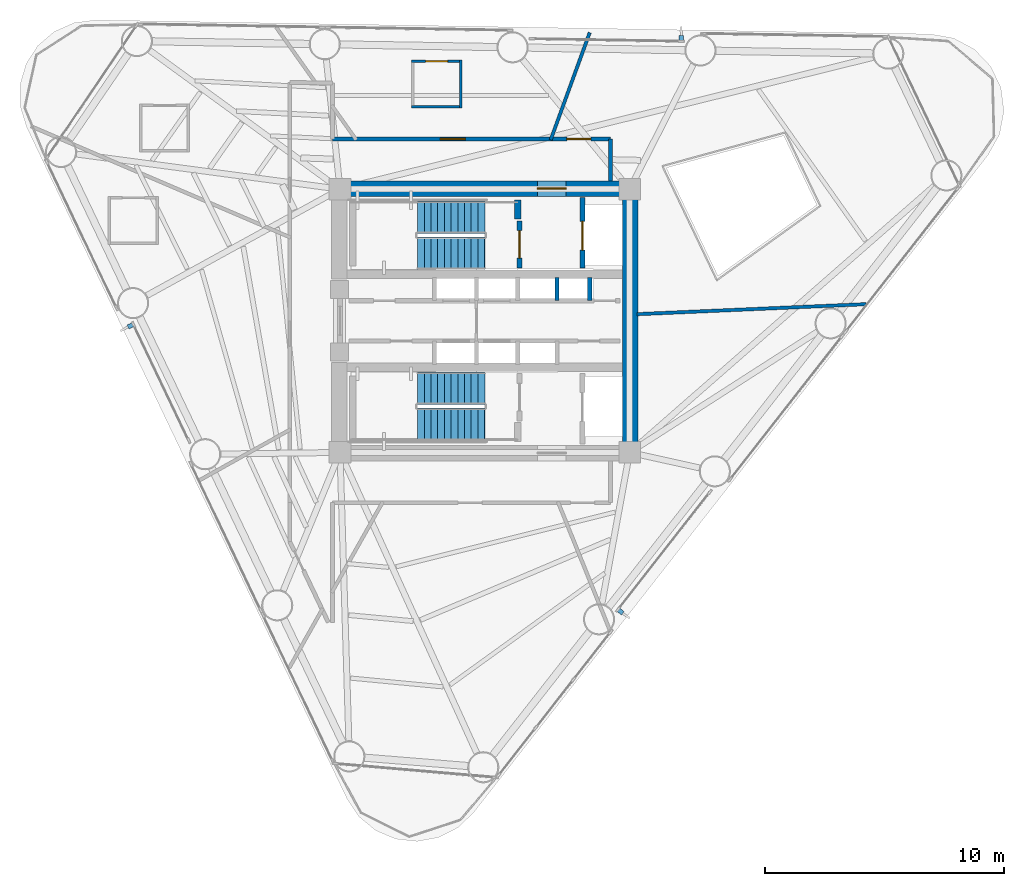
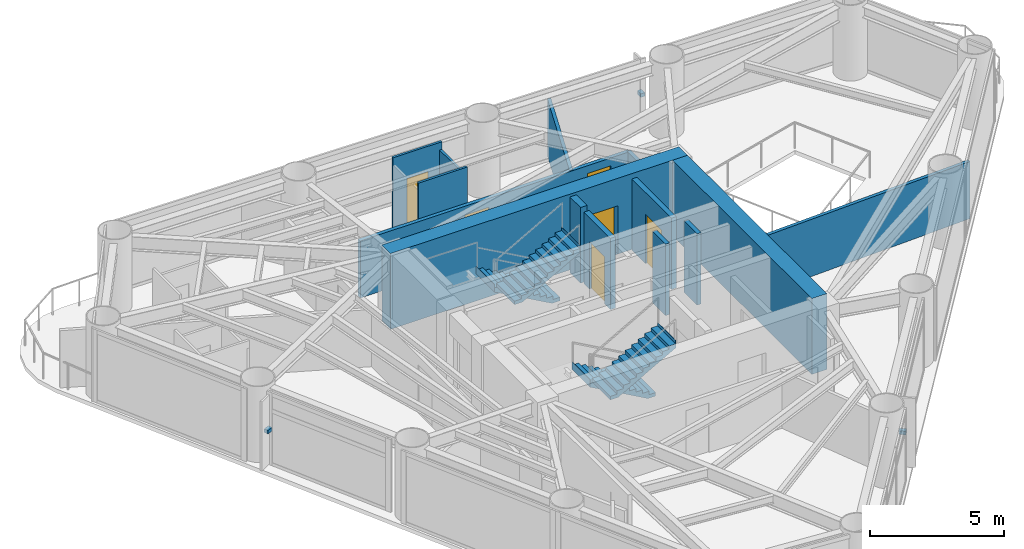
# One storey, part 7 of 10: 14 walls, 6 doors, 4 stair flights, 3 discrete accessories, 6 openings, 2 elements without a shape of their own.
"""IFC4 building model written with IfcOpenShell, lengths in metres."""

from ifc_helpers import new_model, si_unit, direction, frame, frame_2d, origin, origin_2d, place, context, subcontext, project, spatial, polyline, rectangle, outline, extrude, source, transform, mapped, material, layer, layer_set, type_object, element, fill, aggregate, save


model = new_model("IFC4")

# Units and contexts
model_context = context("Model", 3, precision=1e-05, world=origin(), true_north=direction((0.0, 1.0)))
body_context = subcontext(model_context, "Body", "Model", "MODEL_VIEW")
ifc_project = project(units=[si_unit("LENGTHUNIT", "METRE"), si_unit("AREAUNIT", "SQUARE_METRE"), si_unit("VOLUMEUNIT", "CUBIC_METRE"), si_unit("PLANEANGLEUNIT", "RADIAN"), si_unit("MASSUNIT", "GRAM", prefix="KILO")], contexts=[model_context])

# Site, building, storey
site_placement = place(None, origin())
site = spatial("IfcSite", under=ifc_project, at=site_placement, CompositionType="ELEMENT")
building_placement = place(site_placement, origin())
building = spatial("IfcBuilding", under=site, at=building_placement, Name="Yunling Apex Tower", CompositionType="ELEMENT")
storey_placement = place(building_placement, frame((0.0, 0.0, 143.300048828125)))
storey = spatial("IfcBuildingStorey", under=building, at=storey_placement, Name="L35", CompositionType="ELEMENT", Elevation=143.300048828125)

# Wall, opening, door
ifc_material_1 = material(Name="Concrete C50", Category="concrete")
ifc_layer_1 = layer(ifc_material_1, 0.64990234375)
ifc_layer_set_1 = layer_set([ifc_layer_1], Name="Concrete C50")
wall_type_1 = type_object("IfcWallType", Name="WL-COR-2", PredefinedType="SHEAR", material=ifc_layer_set_1)
wall_1_placement = place(storey_placement, frame((-6.39990234375, 5.52490234375, 0.0), z_axis=(0.0, 0.0, 1.0), x_axis=(1.0, 0.0, 0.0)))
wall_1 = element("IfcWall", 1, at=wall_1_placement, inside=storey, type_object=wall_type_1, Name="L35 North Core Shear Wall", PredefinedType="SHEAR", context=body_context, shape_type="SweptSolid", body=[
    extrude(rectangle(XDim=12.7998046875, YDim=0.64990234375, at=frame_2d((6.39990234375, 0.0))), origin(), (0.0, 0.0, 1.0), 3.449951171875),
])
opening_1_placement = place(wall_1_placement, frame((8.60009765625, 0.0, 0.0)))
opening_1 = element("IfcOpeningElement", 2, at=opening_1_placement, cuts=wall_1, Name="Opening DR-FFL-1", PredefinedType="OPENING", context=body_context, shape_type="SweptSolid", body=[
    extrude(rectangle(XDim=1.199951171875, YDim=2.199951171875, at=frame_2d((0.60009765625, 1.10009765625))), frame((0.0, 0.3349609375, 0.0), z_axis=(0.0, -1.0, 0.0), x_axis=(1.0, 0.0, 0.0)), (0.0, 0.0, 1.0), 0.669921875),
])
ifc_material_2 = material(Name="Steel Q355B", Category="steel")
door_type_1 = type_object("IfcDoorType", Name="DR-FFL-1", OperationType="NOTDEFINED", PredefinedType="DOOR", material=ifc_material_2)
door_1_placement = place(opening_1_placement, origin())
door_1 = element("IfcDoor", 3, at=door_1_placement, inside=storey, type_object=door_type_1, Name="L35 North Firefighting Lobby Door", OperationType="SINGLE_SWING_LEFT", OverallHeight=2.199951171875, OverallWidth=1.199951171875, PredefinedType="DOOR", context=body_context, shape_type="SweptSolid", body=[
    extrude(rectangle(XDim=1.199951171875, YDim=2.199951171875, at=frame_2d((0.60009765625, 1.10009765625))), frame((0.0, 0.02490234375, 0.0), z_axis=(0.0, -1.0, 0.0), x_axis=(1.0, 0.0, 0.0)), (0.0, 0.0, 1.0), 0.050048828125),
])
fill(opening_1, door_1)

# Walls
wall_2_placement = place(storey_placement, frame((6.074951171875, -5.199951171875, 0.0), z_axis=(0.0, 0.0, 1.0), x_axis=(0.0, 1.0, 0.0)))
element("IfcWall", 4, at=wall_2_placement, inside=storey, type_object=wall_type_1, Name="L35 East Core Shear Wall", PredefinedType="SHEAR", context=body_context, shape_type="SweptSolid", body=[
    extrude(rectangle(XDim=10.39990234375, YDim=0.64990234375, at=frame_2d((5.199951171875, 0.0))), origin(), (0.0, 0.0, 1.0), 3.449951171875),
])
ifc_material_3 = material(Name="Concrete C40", Category="concrete")
ifc_layer_2 = layer(ifc_material_3, 0.280029296875)
ifc_layer_set_2 = layer_set([ifc_layer_2], Name="Concrete C40")
wall_type_2 = type_object("IfcWallType", Name="WL-COR-8", PredefinedType="SHEAR", material=ifc_layer_set_2)
wall_3_placement = place(storey_placement, frame((1.3798828125, 4.25, 0.0), z_axis=(0.0, 0.0, 1.0), x_axis=(0.0, 1.0, 0.0)))
element("IfcWall", 5, at=wall_3_placement, inside=storey, type_object=wall_type_2, Name="L35 ST-1 East Landing Bearing Pier", PredefinedType="SHEAR", context=body_context, shape_type="SweptSolid", body=[
    extrude(rectangle(XDim=0.800048828125, YDim=0.280029296875, at=frame_2d((0.39990234375, 0.0))), origin(), (0.0, 0.0, 1.0), 3.449951171875),
])

# Wall, openings, doors
ifc_material_4 = material(Name="Gypsum board acoustic partition")
ifc_layer_3 = layer(ifc_material_4, 0.159912109375)
ifc_layer_set_3 = layer_set([ifc_layer_3], Name="Gypsum board acoustic partition")
wall_type_3 = type_object("IfcWallType", Name="WL-PRT-1", PredefinedType="PARTITIONING", material=ifc_layer_set_3)
wall_4_placement = place(storey_placement, frame((-6.360107421875, 7.60009765625, 0.0), z_axis=(0.0, 0.0, 1.0), x_axis=(1.0, 0.0, 0.0)))
wall_4 = element("IfcWall", 6, at=wall_4_placement, inside=storey, type_object=wall_type_3, Name="WL-CORR-L35-07", PredefinedType="PARTITIONING", context=body_context, shape_type="SweptSolid", body=[
    extrude(rectangle(XDim=11.610107421875, YDim=0.159912109375, at=frame_2d((5.80517578125, 0.0))), origin(), (0.0, 0.0, 1.0), 2.60498046875),
])
opening_2_placement = place(wall_4_placement, frame((4.501220703125, 0.0, 0.0)))
opening_2 = element("IfcOpeningElement", 7, at=opening_2_placement, cuts=wall_4, Name="Opening DR-FL-1", PredefinedType="OPENING", context=body_context, shape_type="SweptSolid", body=[
    extrude(rectangle(XDim=1.050048828125, YDim=2.199951171875, at=frame_2d((0.52490234375, 1.10009765625))), frame((0.0, 0.08984375, 0.0), z_axis=(0.0, -1.0, 0.0), x_axis=(1.0, 0.0, 0.0)), (0.0, 0.0, 1.0), 0.179931640625),
])
opening_3_placement = place(wall_4_placement, frame((9.791259765625, 0.0, 0.0)))
opening_3 = element("IfcOpeningElement", 8, at=opening_3_placement, cuts=wall_4, Name="Opening DR-OFF-1", PredefinedType="OPENING", context=body_context, shape_type="SweptSolid", body=[
    extrude(rectangle(XDim=1.0, YDim=2.25, at=frame_2d((0.5, 1.125))), frame((0.0, 0.08984375, 0.0), z_axis=(0.0, -1.0, 0.0), x_axis=(1.0, 0.0, 0.0)), (0.0, 0.0, 1.0), 0.179931640625),
])
ifc_material_5 = material(Name="Timber fire-rated leaf", Category="wood")
door_type_2 = type_object("IfcDoorType", Name="DR-FL-1", OperationType="NOTDEFINED", PredefinedType="DOOR", material=ifc_material_5)
door_2_placement = place(opening_2_placement, origin())
door_2 = element("IfcDoor", 9, at=door_2_placement, inside=storey, type_object=door_type_2, Name="L35 Hotel Suite Door", OperationType="SINGLE_SWING_RIGHT", OverallHeight=2.199951171875, OverallWidth=1.050048828125, PredefinedType="DOOR", context=body_context, shape_type="SweptSolid", body=[
    extrude(rectangle(XDim=1.050048828125, YDim=2.199951171875, at=frame_2d((0.52490234375, 1.10009765625))), frame((0.0, 0.02490234375, 0.0), z_axis=(0.0, -1.0, 0.0), x_axis=(1.0, 0.0, 0.0)), (0.0, 0.0, 1.0), 0.050048828125),
])
fill(opening_2, door_2)
ifc_material_6 = material(Name="Bronze anodised aluminium", Category="aluminium")
door_type_3 = type_object("IfcDoorType", Name="DR-OFF-1", OperationType="NOTDEFINED", PredefinedType="DOOR", material=ifc_material_6)
door_3_placement = place(opening_3_placement, origin())
door_3 = element("IfcDoor", 10, at=door_3_placement, inside=storey, type_object=door_type_3, Name="L35 Hotel Fitness Club Door", OperationType="SINGLE_SWING_LEFT", OverallHeight=2.25, OverallWidth=1.0, PredefinedType="DOOR", context=body_context, shape_type="SweptSolid", body=[
    extrude(rectangle(XDim=1.0, YDim=2.25, at=frame_2d((0.5, 1.125))), frame((0.0, 0.02490234375, 0.0), z_axis=(0.0, -1.0, 0.0), x_axis=(1.0, 0.0, 0.0)), (0.0, 0.0, 1.0), 0.050048828125),
])
fill(opening_3, door_3)

# Walls
wall_5_placement = place(storey_placement, frame((5.25, 7.60009765625, 0.0), z_axis=(0.0, 0.0, 1.0), x_axis=(0.0, -1.0, 0.0)))
element("IfcWall", 11, at=wall_5_placement, inside=storey, type_object=wall_type_3, Name="WL-CORR-L35-08", PredefinedType="PARTITIONING", context=body_context, shape_type="SweptSolid", body=[
    extrude(rectangle(XDim=1.75, YDim=0.159912109375, at=frame_2d((0.875, 0.0))), origin(), (0.0, 0.0, 1.0), 2.60498046875),
])
ifc_layer_4 = layer(ifc_material_4, 0.139892578125)
ifc_layer_set_4 = layer_set([ifc_layer_4], Name="Gypsum board acoustic partition")
wall_type_4 = type_object("IfcWallType", Name="WL-PRT-2", PredefinedType="PARTITIONING", material=ifc_layer_set_4)
wall_6_placement = place(storey_placement, frame((6.360107421875, 0.277587890625, 0.0), z_axis=(0.0, 0.0, 1.0), x_axis=(0.999047913846, 0.043626435113, 0.0)))
element("IfcWall", 12, at=wall_6_placement, inside=storey, type_object=wall_type_4, Name="WL-RAD-L35-01", PredefinedType="PARTITIONING", context=body_context, shape_type="SweptSolid", body=[
    extrude(rectangle(XDim=9.574951171875, YDim=0.139892578125, at=frame_2d((4.78759765625, 0.0))), origin(), (0.0, 0.0, 1.0), 2.60498046875),
])
wall_7_placement = place(storey_placement, frame((2.751708984375, 7.56005859375, 0.0), z_axis=(0.0, 0.0, 1.0), x_axis=(0.342010136434, 0.939696262936, 0.0)))
element("IfcWall", 13, at=wall_7_placement, inside=storey, type_object=wall_type_4, Name="WL-RAD-L35-02", PredefinedType="PARTITIONING", context=body_context, shape_type="SweptSolid", body=[
    extrude(rectangle(XDim=4.7705078125, YDim=0.139892578125, at=frame_2d((2.38525390625, 0.0))), origin(), (0.0, 0.0, 1.0), 2.60498046875),
])

# Wall, opening, door
ifc_layer_5 = layer(ifc_material_4, 0.10009765625)
ifc_layer_set_5 = layer_set([ifc_layer_5], Name="Gypsum board acoustic partition")
wall_type_5 = type_object("IfcWallType", Name="WL-PRT-4", PredefinedType="PARTITIONING", material=ifc_layer_set_5)
wall_8_placement = place(storey_placement, frame((-3.05908203125, 10.842041015625, 0.0), z_axis=(0.0, 0.0, 1.0), x_axis=(1.0, 0.0, 0.0)))
wall_8 = element("IfcWall", 14, at=wall_8_placement, inside=storey, type_object=wall_type_5, Name="WL-ENS-L35-5N", PredefinedType="PARTITIONING", context=body_context, shape_type="SweptSolid", body=[
    extrude(rectangle(XDim=2.10009765625, YDim=0.10009765625, at=frame_2d((1.050048828125, 0.0))), origin(), (0.0, 0.0, 1.0), 3.25),
])
opening_4_placement = place(wall_8_placement, frame((0.590087890625, 0.0, 0.0)))
opening_4 = element("IfcOpeningElement", 15, at=opening_4_placement, cuts=wall_8, Name="Opening DR-WC-1", PredefinedType="OPENING", context=body_context, shape_type="SweptSolid", body=[
    extrude(rectangle(XDim=0.919921875, YDim=2.10009765625, at=frame_2d((0.4599609375, 1.050048828125))), frame((0.0, 0.06005859375, 0.0), z_axis=(0.0, -1.0, 0.0), x_axis=(1.0, 0.0, 0.0)), (0.0, 0.0, 1.0), 0.1201171875),
])
ifc_material_7 = material(Name="Timber moisture-resistant leaf", Category="wood")
door_type_4 = type_object("IfcDoorType", Name="DR-WC-1", OperationType="NOTDEFINED", PredefinedType="DOOR", material=ifc_material_7)
door_4_placement = place(opening_4_placement, origin())
door_4 = element("IfcDoor", 16, at=door_4_placement, inside=storey, type_object=door_type_4, Name="L35 En-Suite Door", OperationType="SINGLE_SWING_RIGHT", OverallHeight=2.10009765625, OverallWidth=0.919921875, PredefinedType="DOOR", context=body_context, shape_type="SweptSolid", body=[
    extrude(rectangle(XDim=0.919921875, YDim=2.10009765625, at=frame_2d((0.4599609375, 1.050048828125))), frame((0.0, 0.02490234375, 0.0), z_axis=(0.0, -1.0, 0.0), x_axis=(1.0, 0.0, 0.0)), (0.0, 0.0, 1.0), 0.050048828125),
])
fill(opening_4, door_4)

# Walls
wall_9_placement = place(storey_placement, frame((-0.958984375, 8.94189453125, 0.0), z_axis=(0.0, 0.0, 1.0), x_axis=(-1.0, 0.0, 0.0)))
element("IfcWall", 17, at=wall_9_placement, inside=storey, type_object=wall_type_5, Name="WL-ENS-L35-5S", PredefinedType="PARTITIONING", context=body_context, shape_type="SweptSolid", body=[
    extrude(rectangle(XDim=2.10009765625, YDim=0.10009765625, at=frame_2d((1.050048828125, 0.0))), origin(), (0.0, 0.0, 1.0), 3.25),
])
wall_10_placement = place(storey_placement, frame((-1.009033203125, 10.89208984375, 0.0), z_axis=(0.0, 0.0, 1.0), x_axis=(0.0, -1.0, 0.0)))
element("IfcWall", 18, at=wall_10_placement, inside=storey, type_object=wall_type_5, Name="WL-ENS-L35-5E", PredefinedType="PARTITIONING", context=body_context, shape_type="SweptSolid", body=[
    extrude(rectangle(XDim=2.0, YDim=0.10009765625, at=frame_2d((1.0, 0.0))), origin(), (0.0, 0.0, 1.0), 2.905029296875),
])

# Wall, opening, door
ifc_material_8 = material(Name="Autoclaved aerated concrete masonry", Category="masonry")
ifc_layer_6 = layer(ifc_material_8, 0.219970703125)
ifc_layer_set_6 = layer_set([ifc_layer_6], Name="Autoclaved aerated concrete masonry")
wall_type_6 = type_object("IfcWallType", Name="WL-SHF-1", PredefinedType="PLUMBINGWALL", material=ifc_layer_set_6)
wall_11_placement = place(storey_placement, frame((1.449951171875, 2.199951171875, 0.0), z_axis=(0.0, 0.0, 1.0), x_axis=(0.0, 1.0, 0.0)))
wall_11 = element("IfcWall", 19, at=wall_11_placement, inside=storey, type_object=wall_type_6, Name="WL-ST1-E-L35", PredefinedType="PLUMBINGWALL", context=body_context, shape_type="SweptSolid", body=[
    extrude(rectangle(XDim=1.97998046875, YDim=0.219970703125, at=frame_2d((0.989990234375, 0.0))), origin(), (0.0, 0.0, 1.0), 3.25),
])
opening_5_placement = place(wall_11_placement, frame((0.419921875, 0.0, 0.0)))
opening_5 = element("IfcOpeningElement", 20, at=opening_5_placement, cuts=wall_11, Name="Opening DR-ST-1", PredefinedType="OPENING", context=body_context, shape_type="SweptSolid", body=[
    extrude(rectangle(XDim=1.14990234375, YDim=2.14990234375, at=frame_2d((0.574951171875, 1.074951171875))), frame((0.0, 0.1201171875, 0.0), z_axis=(0.0, -1.0, 0.0), x_axis=(1.0, 0.0, 0.0)), (0.0, 0.0, 1.0), 0.239990234375),
])
door_type_5 = type_object("IfcDoorType", Name="DR-ST-1", OperationType="NOTDEFINED", PredefinedType="DOOR", material=ifc_material_2)
door_5_placement = place(opening_5_placement, origin())
door_5 = element("IfcDoor", 21, at=door_5_placement, inside=storey, type_object=door_type_5, Name="L35 Stair ST-1 Fire Door", OperationType="SINGLE_SWING_LEFT", OverallHeight=2.14990234375, OverallWidth=1.14990234375, PredefinedType="DOOR", context=body_context, shape_type="SweptSolid", body=[
    extrude(rectangle(XDim=1.14990234375, YDim=2.14990234375, at=frame_2d((0.574951171875, 1.074951171875))), frame((0.0, 0.02490234375, 0.0), z_axis=(0.0, -1.0, 0.0), x_axis=(1.0, 0.0, 0.0)), (0.0, 0.0, 1.0), 0.050048828125),
])
fill(opening_5, door_5)

wall_12_placement = place(storey_placement, frame((4.080078125, 2.199951171875, 0.0), z_axis=(0.0, 0.0, 1.0), x_axis=(0.0, 1.0, 0.0)))
wall_12 = element("IfcWall", 22, at=wall_12_placement, inside=storey, type_object=wall_type_6, Name="WL-FFL1-W-L35", PredefinedType="PLUMBINGWALL", context=body_context, shape_type="SweptSolid", body=[
    extrude(rectangle(XDim=2.949951171875, YDim=0.219970703125, at=frame_2d((1.47509765625, 0.0))), origin(), (0.0, 0.0, 1.0), 3.25),
])
opening_6_placement = place(wall_12_placement, frame((0.75, 0.0, 0.0)))
opening_6 = element("IfcOpeningElement", 23, at=opening_6_placement, cuts=wall_12, Name="Opening LD-FFL-1", PredefinedType="OPENING", context=body_context, shape_type="SweptSolid", body=[
    extrude(rectangle(XDim=1.199951171875, YDim=2.25, at=frame_2d((0.60009765625, 1.125))), frame((0.0, 0.1201171875, 0.0), z_axis=(0.0, -1.0, 0.0), x_axis=(1.0, 0.0, 0.0)), (0.0, 0.0, 1.0), 0.239990234375),
])
door_type_6 = type_object("IfcDoorType", Name="LD-FFL-1", OperationType="DOUBLE_DOOR_SLIDING", PredefinedType="DOOR", material=ifc_material_2)
door_6_placement = place(opening_6_placement, origin())
door_6 = element("IfcDoor", 24, at=door_6_placement, inside=storey, type_object=door_type_6, Name="L35 Lift FFL-1 Landing Door", OperationType="DOUBLE_DOOR_SLIDING", OverallHeight=2.25, OverallWidth=1.199951171875, PredefinedType="DOOR", context=body_context, shape_type="SweptSolid", body=[
    extrude(rectangle(XDim=1.199951171875, YDim=2.25, at=frame_2d((0.60009765625, 1.125))), frame((0.0, 0.02490234375, 0.0), z_axis=(0.0, -1.0, 0.0), x_axis=(1.0, 0.0, 0.0)), (0.0, 0.0, 1.0), 0.050048828125),
])
fill(opening_6, door_6)

# Walls
ifc_layer_7 = layer(ifc_material_8, 0.179931640625)
ifc_layer_set_7 = layer_set([ifc_layer_7], Name="Autoclaved aerated concrete masonry")
wall_type_7 = type_object("IfcWallType", Name="WL-SHF-2", PredefinedType="PLUMBINGWALL", material=ifc_layer_set_7)
for number, where, z_axis, x_axis, name in (
    (25, (3.02001953125, 0.840087890625, 0.0), (0.0, 0.0, 1.0), (0.0, 1.0, 0.0), "WL-DIV-H13-L35"),
    (26, (4.3798828125, 0.840087890625, 0.0), (0.0, 0.0, 1.0), (0.0, 1.0, 0.0), "WL-END-H3E-L35"),
):
    element("IfcWall", number, at=place(storey_placement, frame(where, z_axis=z_axis, x_axis=x_axis)), inside=storey, type_object=wall_type_7, Name=name, PredefinedType="PLUMBINGWALL", context=body_context, shape_type="SweptSolid", body=[
        extrude(rectangle(XDim=0.97998046875, YDim=0.179931640625, at=frame_2d((0.489990234375, 0.0))), origin(), (0.0, 0.0, 1.0), 3.25),
    ])

# Stair, stair flights
stair_type = type_object("IfcStairType", Name="ST-TWR-2", PredefinedType="HALF_TURN_STAIR", material=ifc_material_3)
stair_1_placement = place(storey_placement, origin())
stair_1 = element("IfcStair", 27, at=stair_1_placement, inside=storey, type_object=stair_type, Name="L35 North Core Smokeproof Exit Stair ST-1", PredefinedType="HALF_TURN_STAIR")
stair_flight_type = type_object("IfcStairFlightType", Name="SFL-TWR-2", PredefinedType="STRAIGHT", material=ifc_material_3)
stair_flight_1_placement = place(storey_placement, frame((-0.010009765625, 4.330078125, 0.0), z_axis=(0.0, 0.0, 1.0), x_axis=(-1.0, 0.0, 0.0)))
stair_flight_1 = element("IfcStairFlight", 28, at=stair_flight_1_placement, type_object=stair_flight_type, Name="ST-1 flight 1", NumberOfRisers=11, NumberOfTreads=10, PredefinedType="STRAIGHT", RiserHeight=0.156818182, TreadLength=0.28, context=body_context, shape_type="SweptSolid", body=[
    extrude(outline(polyline([(-0.011962890625, 0.0), (-0.011962890625, 0.15673828125), (0.0, 0.15673828125), (0.280029296875, 0.15673828125), (0.280029296875, 0.313720703125), (0.56005859375, 0.313720703125), (0.56005859375, 0.470458984375), (0.840087890625, 0.470458984375), (0.840087890625, 0.627197265625), (1.1201171875, 0.627197265625), (1.1201171875, 0.7841796875), (1.39990234375, 0.7841796875), (1.39990234375, 0.94091796875), (1.679931640625, 0.94091796875), (1.679931640625, 1.09765625), (1.9599609375, 1.09765625), (1.9599609375, 1.254638671875), (2.239990234375, 1.254638671875), (2.239990234375, 1.411376953125), (2.52001953125, 1.411376953125), (2.52001953125, 1.568115234375), (2.800048828125, 1.568115234375), (2.800048828125, 1.72509765625), (2.81201171875, 1.72509765625), (2.81201171875, 1.385009765625), (0.3271484375, 0.0), (-0.011962890625, 0.0)])), frame((0.0, 0.68017578125, 0.0), z_axis=(0.0, -1.0, 0.0), x_axis=(1.0, 0.0, 0.0)), (0.0, 0.0, 1.0), 1.360107421875),
])
stair_flight_2_placement = place(storey_placement, frame((-2.81005859375, 2.820068359375, 1.724853515625), z_axis=(0.0, 0.0, 1.0), x_axis=(1.0, 0.0, 0.0)))
stair_flight_2 = element("IfcStairFlight", 29, at=stair_flight_2_placement, type_object=stair_flight_type, Name="ST-1 flight 2", NumberOfRisers=11, NumberOfTreads=10, PredefinedType="STRAIGHT", RiserHeight=0.156818182, TreadLength=0.28, context=body_context, shape_type="SweptSolid", body=[
    extrude(outline(polyline([(-0.011962890625, 0.0), (-0.011962890625, 0.15673828125), (0.0, 0.15673828125), (0.280029296875, 0.15673828125), (0.280029296875, 0.313720703125), (0.56005859375, 0.313720703125), (0.56005859375, 0.470458984375), (0.840087890625, 0.470458984375), (0.840087890625, 0.627197265625), (1.1201171875, 0.627197265625), (1.1201171875, 0.7841796875), (1.39990234375, 0.7841796875), (1.39990234375, 0.94091796875), (1.679931640625, 0.94091796875), (1.679931640625, 1.09765625), (1.9599609375, 1.09765625), (1.9599609375, 1.254638671875), (2.239990234375, 1.254638671875), (2.239990234375, 1.411376953125), (2.52001953125, 1.411376953125), (2.52001953125, 1.568115234375), (2.800048828125, 1.568115234375), (2.800048828125, 1.72509765625), (2.81201171875, 1.72509765625), (2.81201171875, 1.385009765625), (0.3271484375, 0.0), (-0.011962890625, 0.0)])), frame((0.0, 0.68017578125, 0.0), z_axis=(0.0, -1.0, 0.0), x_axis=(1.0, 0.0, 0.0)), (0.0, 0.0, 1.0), 1.360107421875),
])
aggregate(stair_1, [stair_flight_1, stair_flight_2])

stair_2_placement = place(storey_placement, origin())
stair_2 = element("IfcStair", 30, at=stair_2_placement, inside=storey, type_object=stair_type, Name="L35 South Core Smokeproof Exit Stair ST-2", PredefinedType="HALF_TURN_STAIR")
stair_flight_3_placement = place(storey_placement, frame((-0.010009765625, -2.820068359375, 0.0), z_axis=(0.0, 0.0, 1.0), x_axis=(-1.0, 0.0, 0.0)))
stair_flight_3 = element("IfcStairFlight", 31, at=stair_flight_3_placement, type_object=stair_flight_type, Name="ST-2 flight 1", NumberOfRisers=11, NumberOfTreads=10, PredefinedType="STRAIGHT", RiserHeight=0.156818182, TreadLength=0.28, context=body_context, shape_type="SweptSolid", body=[
    extrude(outline(polyline([(-0.011962890625, 0.0), (-0.011962890625, 0.15673828125), (0.0, 0.15673828125), (0.280029296875, 0.15673828125), (0.280029296875, 0.313720703125), (0.56005859375, 0.313720703125), (0.56005859375, 0.470458984375), (0.840087890625, 0.470458984375), (0.840087890625, 0.627197265625), (1.1201171875, 0.627197265625), (1.1201171875, 0.7841796875), (1.39990234375, 0.7841796875), (1.39990234375, 0.94091796875), (1.679931640625, 0.94091796875), (1.679931640625, 1.09765625), (1.9599609375, 1.09765625), (1.9599609375, 1.254638671875), (2.239990234375, 1.254638671875), (2.239990234375, 1.411376953125), (2.52001953125, 1.411376953125), (2.52001953125, 1.568115234375), (2.800048828125, 1.568115234375), (2.800048828125, 1.72509765625), (2.81201171875, 1.72509765625), (2.81201171875, 1.385009765625), (0.3271484375, 0.0), (-0.011962890625, 0.0)])), frame((0.0, 0.68017578125, 0.0), z_axis=(0.0, -1.0, 0.0), x_axis=(1.0, 0.0, 0.0)), (0.0, 0.0, 1.0), 1.360107421875),
])
stair_flight_4_placement = place(storey_placement, frame((-2.81005859375, -4.330078125, 1.724853515625), z_axis=(0.0, 0.0, 1.0), x_axis=(1.0, 0.0, 0.0)))
stair_flight_4 = element("IfcStairFlight", 32, at=stair_flight_4_placement, type_object=stair_flight_type, Name="ST-2 flight 2", NumberOfRisers=11, NumberOfTreads=10, PredefinedType="STRAIGHT", RiserHeight=0.156818182, TreadLength=0.28, context=body_context, shape_type="SweptSolid", body=[
    extrude(outline(polyline([(-0.011962890625, 0.0), (-0.011962890625, 0.15673828125), (0.0, 0.15673828125), (0.280029296875, 0.15673828125), (0.280029296875, 0.313720703125), (0.56005859375, 0.313720703125), (0.56005859375, 0.470458984375), (0.840087890625, 0.470458984375), (0.840087890625, 0.627197265625), (1.1201171875, 0.627197265625), (1.1201171875, 0.7841796875), (1.39990234375, 0.7841796875), (1.39990234375, 0.94091796875), (1.679931640625, 0.94091796875), (1.679931640625, 1.09765625), (1.9599609375, 1.09765625), (1.9599609375, 1.254638671875), (2.239990234375, 1.254638671875), (2.239990234375, 1.411376953125), (2.52001953125, 1.411376953125), (2.52001953125, 1.568115234375), (2.800048828125, 1.568115234375), (2.800048828125, 1.72509765625), (2.81201171875, 1.72509765625), (2.81201171875, 1.385009765625), (0.3271484375, 0.0), (-0.011962890625, 0.0)])), frame((0.0, 0.68017578125, 0.0), z_axis=(0.0, -1.0, 0.0), x_axis=(1.0, 0.0, 0.0)), (0.0, 0.0, 1.0), 1.360107421875),
])
aggregate(stair_2, [stair_flight_3, stair_flight_4])

# Discrete accessories
discrete_accessory_type = type_object("IfcDiscreteAccessoryType", Name="BK-FIN-1", PredefinedType="BRACKET", material=ifc_material_2)
shared_shape = source(origin(), body_context, "Body", "SweptSolid", [
    extrude(rectangle(XDim=0.179931640625, YDim=0.260009765625, at=origin_2d()), origin(), (0.0, 0.0, 1.0), 0.159912109375),
])
for number, where, z_axis, x_axis, name in (
    (33, (5.658447265625, -12.135986328125, 1.55517578125), (0.0, 0.0, 1.0), (0.616211460536, 0.787580748815, 0.0), "CW-L35-F1-B2-BRK-01-1"),
    (34, (8.207763671875, 11.798828125, 1.55517578125), (0.0, 0.0, 1.0), (-0.999859635577, 0.016754376869, 0.0), "CW-L35-F2-B2-BRK-01-1"),
    (35, (-14.790283203125, -0.201416015625, 1.55517578125), (0.0, 0.0, 1.0), (0.430511096808, -0.90258528435, 0.0), "CW-L35-F3-B2-BRK-01-1"),
):
    element("IfcDiscreteAccessory", number, at=place(storey_placement, frame(where, z_axis=z_axis, x_axis=x_axis)), inside=storey, type_object=discrete_accessory_type, Name=name, PredefinedType="BRACKET", context=body_context, shape_type="MappedRepresentation", body=[
        mapped(shared_shape, transform((0.0, 0.0, 0.0), scale=1.0)),
    ])

save(model, "model.ifc")
